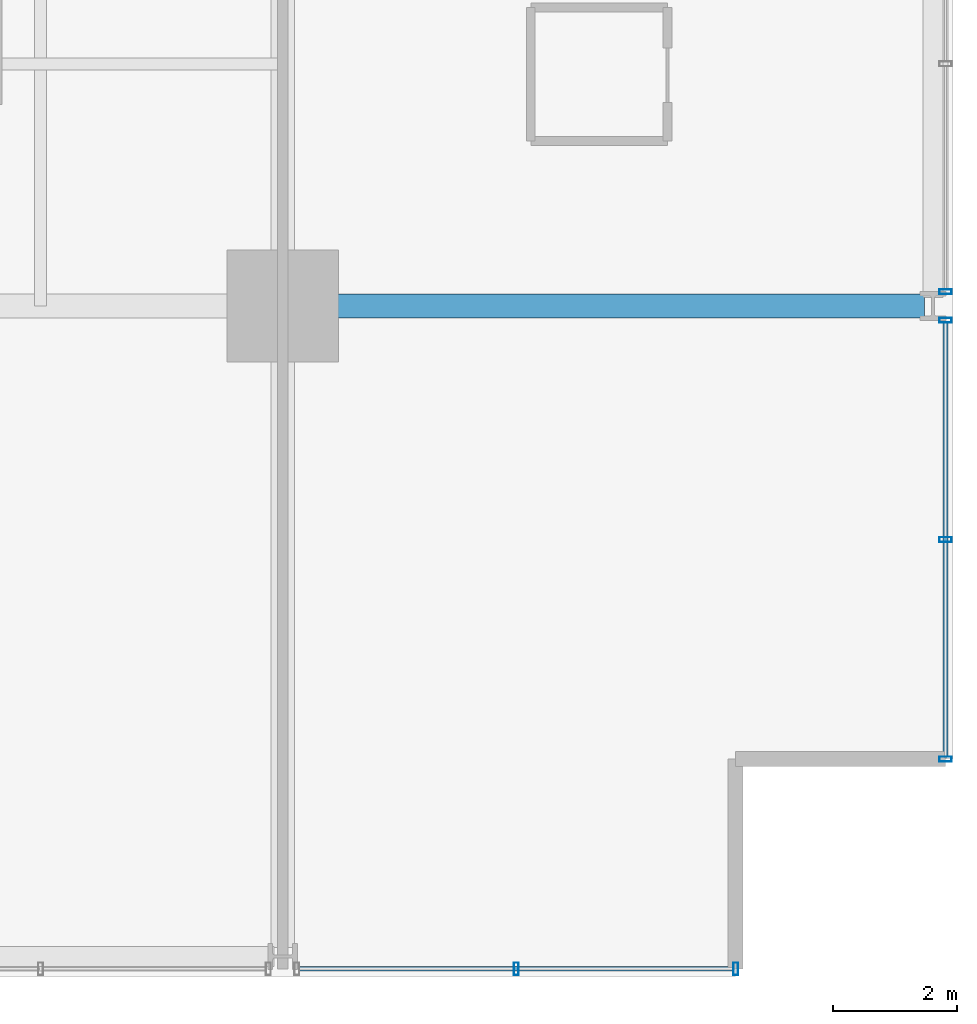
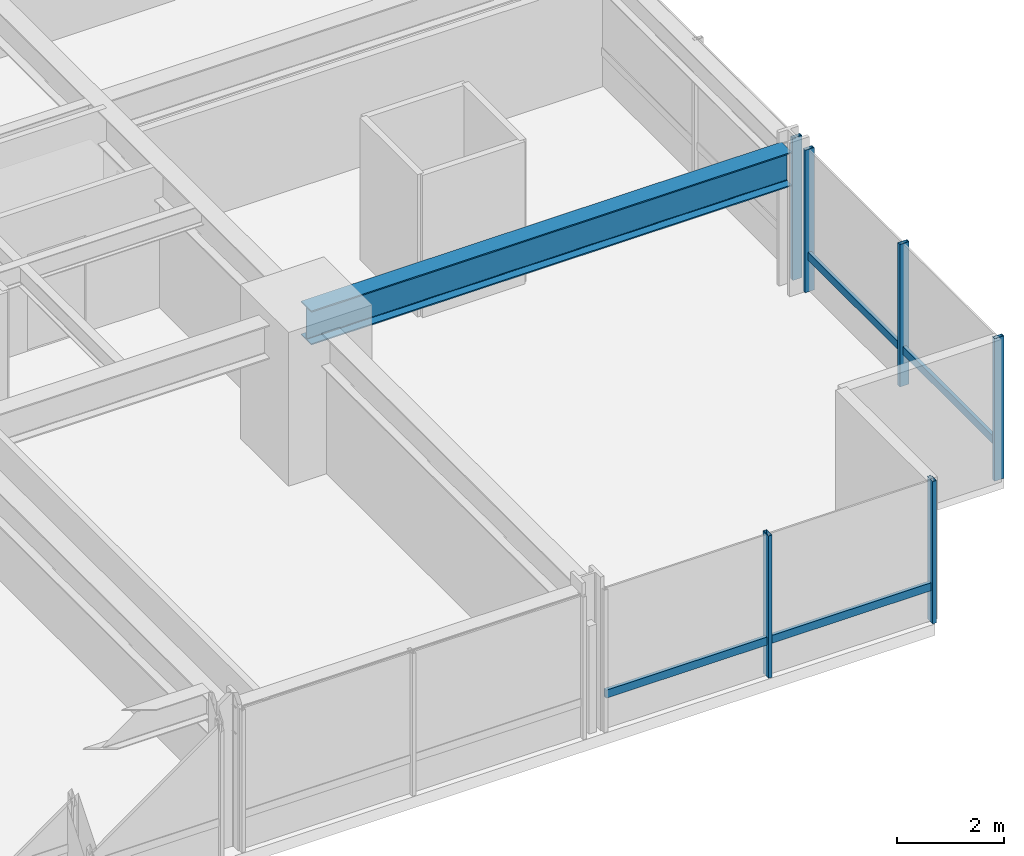
# One storey, part 13 of 38: 8 members, 1 beam, 3 elements without a shape of their own.
"""IFC4 building model written with IfcOpenShell, lengths in metres."""

from ifc_helpers import new_model, si_unit, direction, frame, origin, origin_2d, place, context, subcontext, project, spatial, hollow_rectangle, i_section, extrude, material, layer, layer_set, material_profile, profile_set, type_object, element, aggregate, save


model = new_model("IFC4")

# Units and contexts
model_context = context("Model", 3, precision=1e-05, world=origin(), true_north=direction((0.0, 1.0)))
body_context = subcontext(model_context, "Body", "Model", "MODEL_VIEW")
ifc_project = project(units=[si_unit("LENGTHUNIT", "METRE"), si_unit("AREAUNIT", "SQUARE_METRE"), si_unit("VOLUMEUNIT", "CUBIC_METRE"), si_unit("PLANEANGLEUNIT", "RADIAN"), si_unit("MASSUNIT", "GRAM", prefix="KILO")], contexts=[model_context])

# Site, building, storey
site_placement = place(None, origin())
site = spatial("IfcSite", under=ifc_project, at=site_placement, CompositionType="ELEMENT")
building_placement = place(site_placement, origin())
building = spatial("IfcBuilding", under=site, at=building_placement, Name="Drelvath Grand Hotel", CompositionType="ELEMENT")
storey_placement = place(building_placement, frame((0.0, 0.0, 61.199951171875)))
storey = spatial("IfcBuildingStorey", under=building, at=storey_placement, Name="L14", CompositionType="ELEMENT", Elevation=61.199951171875)

# Curtain wall, member
ifc_material_1 = material(Name="Warm Bronze Anodised Aluminium Frame", Category="aluminium")
ifc_layer = layer(ifc_material_1, 0.199951171875)
ifc_layer_set = layer_set([ifc_layer], Name="Warm Bronze Anodised Aluminium Frame")
curtain_wall_type = type_object("IfcCurtainWallType", Name="Stick Curtain Wall CW-02 Warm Bronze Low-Rise", PredefinedType="NOTDEFINED", material=ifc_layer_set)
curtain_wall_1_placement = place(storey_placement, origin())
curtain_wall_1 = element("IfcCurtainWall", 1, at=curtain_wall_1_placement, inside=storey, type_object=curtain_wall_type, Name="L14 CW-02 Curtain Wall CW02-L14-ES1", PredefinedType="NOTDEFINED")
ifc_material_profile_1 = material_profile(ifc_material_1, hollow_rectangle(XDim=0.074951171875, YDim=0.179931640625, WallThickness=0.0048828125, at=origin_2d()), Name="HSS180X75X5")
ifc_profile_set_1 = profile_set([ifc_material_profile_1], Name="Warm Bronze Anodised Aluminium Frame")
member_type_1 = type_object("IfcMemberType", Name="Curtain Wall Horizontal Transom CW-02 HSS180X75X5", PredefinedType="USERDEFINED", material=ifc_profile_set_1)
member_1_placement = place(storey_placement, frame((26.8798828125, 10.531005859375, 0.81005859375), z_axis=(0.0, -1.0, 0.0), x_axis=(1.0, 0.0, 0.0)))
member_1 = element("IfcMember", 2, at=member_1_placement, type_object=member_type_1, Name="CW02-L14-ES1 Sill Transom", ObjectType="TRANSOM", PredefinedType="USERDEFINED", context=body_context, shape_type="SweptSolid", body=[
    extrude(hollow_rectangle(XDim=0.074951171875, YDim=0.179931640625, WallThickness=0.0048828125, at=origin_2d()), origin(), (0.0, 0.0, 1.0), 6.990966796875),
])

curtain_wall_2_placement = place(storey_placement, origin())
curtain_wall_2 = element("IfcCurtainWall", 3, at=curtain_wall_2_placement, inside=storey, type_object=curtain_wall_type, Name="L14 CW-02 Curtain Wall CW02-L14-SE3", PredefinedType="NOTDEFINED")
member_2_placement = place(storey_placement, frame((23.4599609375, 0.1201171875, 0.81005859375), z_axis=(-1.0, 0.0, 0.0), x_axis=(0.0, -1.0, 0.0)))
member_2 = element("IfcMember", 4, at=member_2_placement, type_object=member_type_1, Name="CW02-L14-SE3 Sill Transom", ObjectType="TRANSOM", PredefinedType="USERDEFINED", context=body_context, shape_type="SweptSolid", body=[
    extrude(hollow_rectangle(XDim=0.074951171875, YDim=0.179931640625, WallThickness=0.0048828125, at=origin_2d()), origin(), (0.0, 0.0, 1.0), 6.990966796875),
])

# Member
ifc_material_profile_2 = material_profile(ifc_material_1, hollow_rectangle(XDim=0.080078125, YDim=0.199951171875, WallThickness=0.0048828125, at=origin_2d()), Name="HSS200X80X5")
ifc_profile_set_2 = profile_set([ifc_material_profile_2], Name="Warm Bronze Anodised Aluminium Frame")
member_type_2 = type_object("IfcMemberType", Name="Curtain Wall Vertical Mullion CW-02 HSS200X80X5", PredefinedType="MULLION", material=ifc_profile_set_2)
member_3_placement = place(storey_placement, frame((26.8798828125, 10.57080078125, 0.0), z_axis=(0.0, 0.0, 1.0), x_axis=(0.0, 1.0, 0.0)))
member_3 = element("IfcMember", 5, at=member_3_placement, type_object=member_type_2, Name="CW02-L14-ES1 Mullion 1", PredefinedType="MULLION", context=body_context, shape_type="SweptSolid", body=[
    extrude(hollow_rectangle(XDim=0.080078125, YDim=0.199951171875, WallThickness=0.0048828125, at=origin_2d()), origin(), (0.0, 0.0, 1.0), 3.239990234375),
])

member_4_placement = place(storey_placement, frame((26.8798828125, 7.035400390625, 0.0), z_axis=(0.0, 0.0, 1.0), x_axis=(0.0, 1.0, 0.0)))
member_4 = element("IfcMember", 6, at=member_4_placement, type_object=member_type_2, Name="CW02-L14-ES1 Mullion 2", PredefinedType="MULLION", context=body_context, shape_type="SweptSolid", body=[
    extrude(hollow_rectangle(XDim=0.080078125, YDim=0.199951171875, WallThickness=0.0048828125, at=origin_2d()), origin(), (0.0, 0.0, 1.0), 3.239990234375),
])

member_5_placement = place(storey_placement, frame((26.8798828125, 3.5, 0.0), z_axis=(0.0, 0.0, 1.0), x_axis=(0.0, 1.0, 0.0)))
member_5 = element("IfcMember", 7, at=member_5_placement, type_object=member_type_2, Name="CW02-L14-ES1 Mullion 3", PredefinedType="MULLION", context=body_context, shape_type="SweptSolid", body=[
    extrude(hollow_rectangle(XDim=0.080078125, YDim=0.199951171875, WallThickness=0.0048828125, at=origin_2d()), origin(), (0.0, 0.0, 1.0), 3.239990234375),
])

aggregate(curtain_wall_1, [member_3, member_4, member_5, member_1])

# Curtain wall, member
curtain_wall_3_placement = place(storey_placement, origin())
curtain_wall_3 = element("IfcCurtainWall", 8, at=curtain_wall_3_placement, inside=storey, type_object=curtain_wall_type, Name="L14 CW-02 Curtain Wall CW02-L14-ES2", PredefinedType="NOTDEFINED")
member_6_placement = place(storey_placement, frame((26.8798828125, 11.029052734375, 0.0), z_axis=(0.0, 0.0, 1.0), x_axis=(0.0, 1.0, 0.0)))
member_6 = element("IfcMember", 9, at=member_6_placement, type_object=member_type_2, Name="CW02-L14-ES2 Mullion 3", PredefinedType="MULLION", context=body_context, shape_type="SweptSolid", body=[
    extrude(hollow_rectangle(XDim=0.080078125, YDim=0.199951171875, WallThickness=0.0048828125, at=origin_2d()), origin(), (0.0, 0.0, 1.0), 3.239990234375),
])
aggregate(curtain_wall_3, [member_6])

# Member
member_7_placement = place(storey_placement, frame((23.5, 0.1201171875, 0.0), z_axis=(0.0, 0.0, 1.0), x_axis=(1.0, 0.0, 0.0)))
member_7 = element("IfcMember", 10, at=member_7_placement, type_object=member_type_2, Name="CW02-L14-SE3 Mullion 1", PredefinedType="MULLION", context=body_context, shape_type="SweptSolid", body=[
    extrude(hollow_rectangle(XDim=0.080078125, YDim=0.199951171875, WallThickness=0.0048828125, at=origin_2d()), origin(), (0.0, 0.0, 1.0), 3.239990234375),
])

member_8_placement = place(storey_placement, frame((19.964599609375, 0.1201171875, 0.0), z_axis=(0.0, 0.0, 1.0), x_axis=(1.0, 0.0, 0.0)))
member_8 = element("IfcMember", 11, at=member_8_placement, type_object=member_type_2, Name="CW02-L14-SE3 Mullion 2", PredefinedType="MULLION", context=body_context, shape_type="SweptSolid", body=[
    extrude(hollow_rectangle(XDim=0.080078125, YDim=0.199951171875, WallThickness=0.0048828125, at=origin_2d()), origin(), (0.0, 0.0, 1.0), 3.239990234375),
])

aggregate(curtain_wall_2, [member_7, member_8, member_2])

# Beam
ifc_material_2 = material(Name="Steel ASTM A992 Gr 50", Category="steel")
ifc_material_profile_3 = material_profile(ifc_material_2, i_section(OverallWidth=0.380615234375, OverallDepth=0.773193359375, WebThickness=0.0166015625, FlangeThickness=0.027099609375, FilletRadius=0.02490234375, at=origin_2d()), Name="W30X173")
ifc_profile_set_3 = profile_set([ifc_material_profile_3], Name="Steel ASTM A992 Gr 50")
beam_type = type_object("IfcBeamType", Name="Primary Floor Girder W30X173", PredefinedType="BEAM", material=ifc_profile_set_3)
beam_placement = place(storey_placement, frame((16.199951171875, 10.800048828125, 2.853515625), z_axis=(1.0, 0.0, 0.0), x_axis=(0.0, 1.0, 0.0)))
element("IfcBeam", 12, at=beam_placement, inside=storey, type_object=beam_type, Name="L14 East Grid Girder C", PredefinedType="BEAM", context=body_context, shape_type="SweptSolid", body=[
    extrude(i_section(OverallWidth=0.380615234375, OverallDepth=0.773193359375, WebThickness=0.0166015625, FlangeThickness=0.027099609375, FilletRadius=0.02490234375, at=origin_2d()), origin(), (0.0, 0.0, 1.0), 10.340087890625),
])

save(model, "model.ifc")
